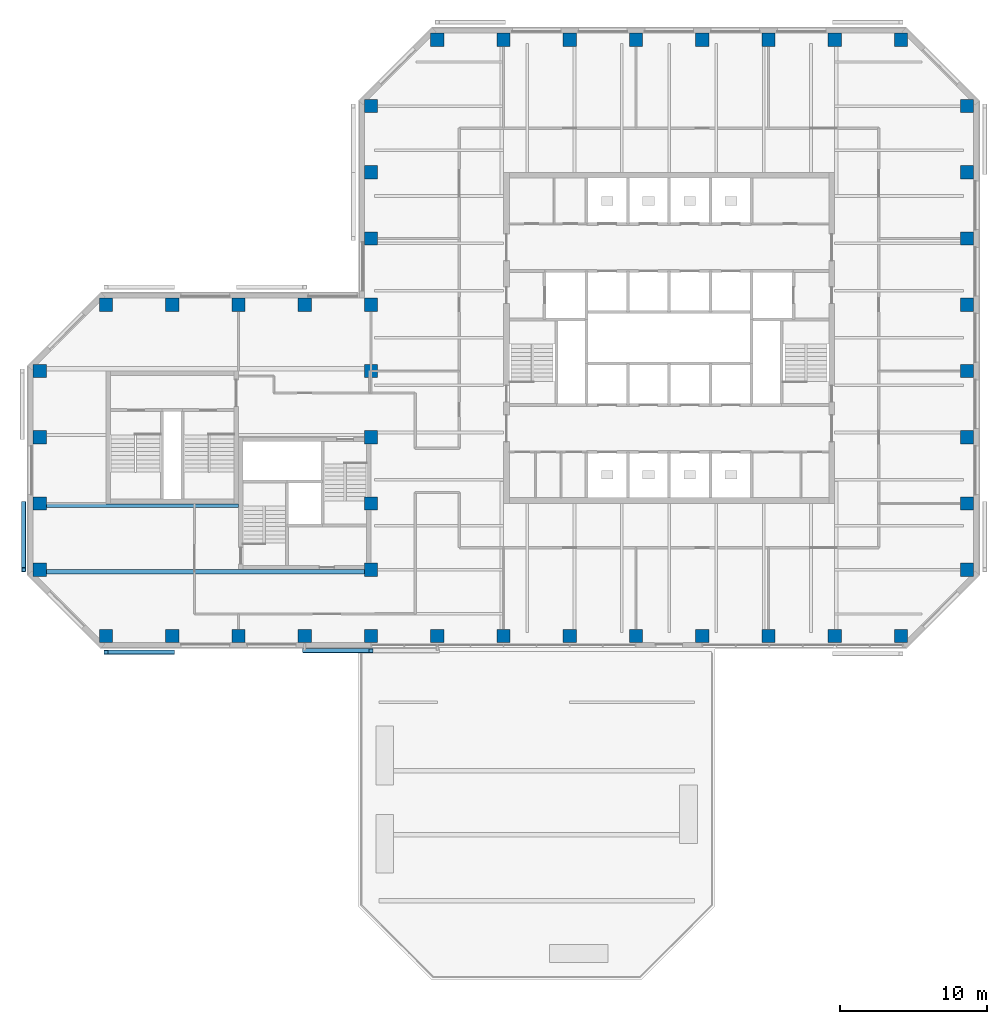
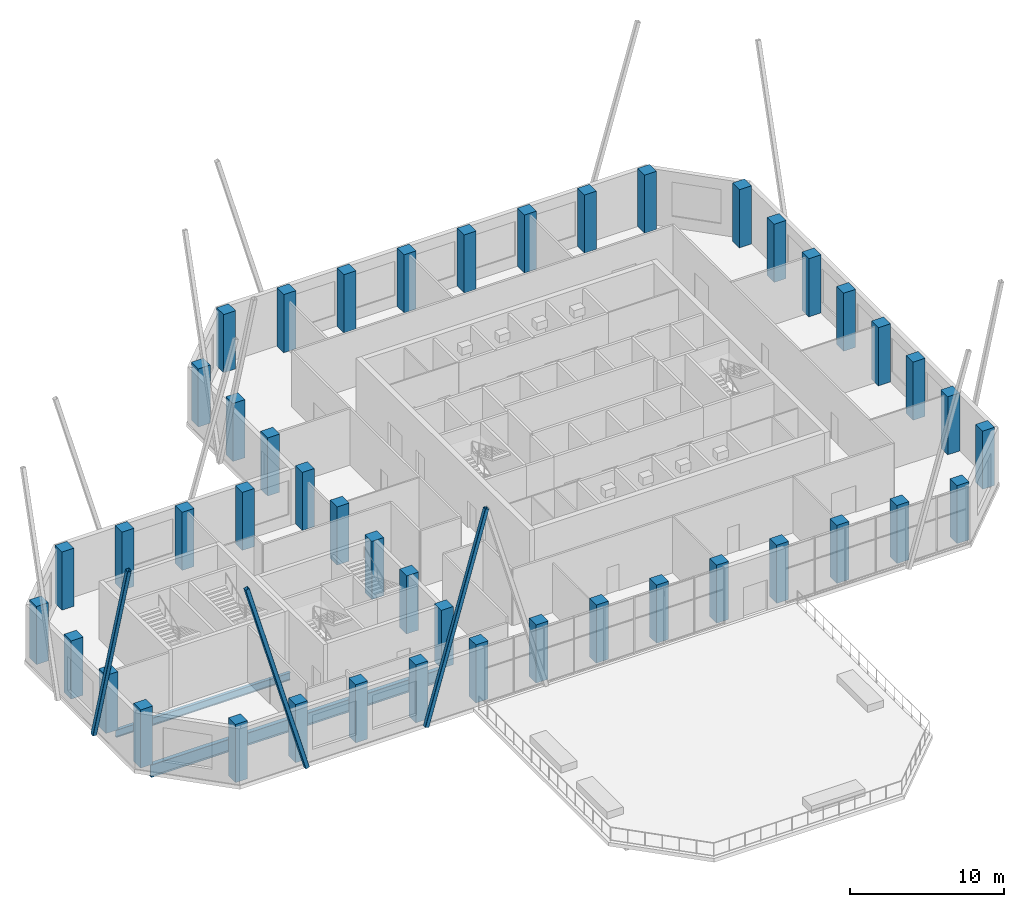
# One storey, part 1 of 14: 45 columns, 3 members, 2 beams.
"""IFC4 building model written with IfcOpenShell, lengths in metres."""

import ifcopenshell
import ifcopenshell.guid

model = None  # the IFC model being written
_history = None  # IfcOwnerHistory: only IFC2X3 demands one
_inside = {}  # id of a spatial element -> (the spatial element, [elements in it])
_under = {}  # id of a project, library or spatial element -> (it, [spatial elements below it])
_declared = {}  # id of a project -> (the project, [libraries it declares])
_typed = {}  # id of a type object -> (the type object, [elements of that type])
_made_of = {}  # id of a material, layer set ... -> (it, [elements and type objects made of it])


def new_model(schema):
    """Start an empty IFC model of exactly this schema.

    Asked for "IFC4X3", IfcOpenShell would pick the latest addendum, in which some entities
    have other attributes; the version numbers below select the first issue.
    IFC2X3 requires an IfcOwnerHistory on every rooted entity: one is made here for all.
    """
    global model, _history
    if schema == "IFC4X3":
        model = ifcopenshell.file(schema_version=(4, 3, 0, 0))
    else:
        model = ifcopenshell.file(schema=schema)
    _inside.clear()
    _under.clear()
    _declared.clear()
    _typed.clear()
    _made_of.clear()
    _history = None
    if model.schema == "IFC2X3":
        org = make("IfcOrganization", Name="unknown")
        user = make(
            "IfcPersonAndOrganization",
            ThePerson=make("IfcPerson", FamilyName="unknown"),
            TheOrganization=org,
        )
        app = make(
            "IfcApplication",
            ApplicationDeveloper=org,
            Version="unknown",
            ApplicationFullName="unknown",
            ApplicationIdentifier="unknown",
        )
        _history = make(
            "IfcOwnerHistory",
            OwningUser=user,
            OwningApplication=app,
            ChangeAction="ADDED",
            CreationDate=0,
        )
    return model


def make(cls, **values):
    """One entity of the class cls with the attributes given. An attribute that is None is left unset."""
    return model.create_entity(
        cls, **{name: value for name, value in values.items() if value is not None}
    )


def rooted(cls, **values):
    """An entity with a GlobalId (a new one), such as an element, a storey or a relation."""
    return make(cls, GlobalId=ifcopenshell.guid.new(), OwnerHistory=_history, **values)


def si_unit(unit_type, name, prefix=None):
    """IfcSIUnit, for example si_unit("LENGTHUNIT", "METRE", prefix="MILLI")."""
    return make("IfcSIUnit", UnitType=unit_type, Prefix=prefix, Name=name)


def assignment(units):
    """IfcUnitAssignment: the units of a project."""
    return None if units is None else make("IfcUnitAssignment", Units=units)


def point(xyz):
    """IfcCartesianPoint."""
    return None if xyz is None else make("IfcCartesianPoint", Coordinates=xyz)


def direction(xyz):
    """IfcDirection."""
    return None if xyz is None else make("IfcDirection", DirectionRatios=xyz)


def frame(location, z_axis=None, x_axis=None):
    """IfcAxis2Placement3D, a coordinate frame: its origin and axes. An axis left out is left unset."""
    return make(
        "IfcAxis2Placement3D",
        Location=point(location),
        Axis=direction(z_axis),
        RefDirection=direction(x_axis),
    )


def frame_2d(location, x_axis=None):
    """IfcAxis2Placement2D, a coordinate frame in the plane: its origin and x axis."""
    return make(
        "IfcAxis2Placement2D", Location=point(location), RefDirection=direction(x_axis)
    )


def origin():
    """The frame at (0, 0, 0) with its axes left unset."""
    return frame((0.0, 0.0, 0.0))


def origin_2d():
    """The frame at (0, 0) in the plane with its x axis left unset."""
    return frame_2d((0.0, 0.0))


def place(relative_to, where):
    """IfcLocalPlacement: puts the frame where relative to a parent placement (None: the world)."""
    return make(
        "IfcLocalPlacement", PlacementRelTo=relative_to, RelativePlacement=where
    )


def context(
    kind, dimensions, precision=None, world=None, true_north=None, identifier=None
):
    """IfcGeometricRepresentationContext, for example the 3D "Model" context."""
    return make(
        "IfcGeometricRepresentationContext",
        ContextIdentifier=identifier,
        ContextType=kind,
        CoordinateSpaceDimension=dimensions,
        Precision=precision,
        WorldCoordinateSystem=world,
        TrueNorth=true_north,
    )


def subcontext(parent, identifier, kind, view, scale=None):
    """IfcGeometricRepresentationSubContext, for example "Body" below "Model"."""
    return make(
        "IfcGeometricRepresentationSubContext",
        ContextIdentifier=identifier,
        ContextType=kind,
        ParentContext=parent,
        TargetScale=scale,
        TargetView=view,
    )


def project(units=None, contexts=None):
    """IfcProject with its units and contexts."""
    return rooted(
        "IfcProject",
        Name="project",
        RepresentationContexts=contexts,
        UnitsInContext=assignment(units),
    )


def spatial(cls, under=None, at=None, **own):
    """A site, building, storey or space (cls), placed at a placement, below another one or the project."""
    s = rooted(cls, ObjectPlacement=at, **own)
    if under is not None:
        _under.setdefault(under.id(), (under, []))[1].append(s)
    return s


def profile(cls, at=None, kind="AREA", **sizes):
    """A parametric profile (cls). Its sizes go by their IFC names, for example OverallWidth=200.0."""
    return make(cls, ProfileType=kind, Position=at, **sizes)


def rectangle(**sizes):
    """IfcRectangleProfileDef."""
    return profile("IfcRectangleProfileDef", **sizes)


def hollow_rectangle(**sizes):
    """IfcRectangleHollowProfileDef."""
    return profile("IfcRectangleHollowProfileDef", **sizes)


def i_section(**sizes):
    """IfcIShapeProfileDef."""
    return profile("IfcIShapeProfileDef", **sizes)


def extrude(swept, where, along, depth):
    """IfcExtrudedAreaSolid: the profile swept, set in the frame where, extruded along a direction by depth."""
    return make(
        "IfcExtrudedAreaSolid",
        SweptArea=swept,
        Position=where,
        ExtrudedDirection=direction(along),
        Depth=depth,
    )


def shape(context_of_items, identifier, shape_type, items):
    """IfcShapeRepresentation: the items that make up one representation, for example the "Body"."""
    return make(
        "IfcShapeRepresentation",
        ContextOfItems=context_of_items,
        RepresentationIdentifier=identifier,
        RepresentationType=shape_type,
        Items=items,
    )


def material(Name=None, Category=None):
    """IfcMaterial."""
    return make("IfcMaterial", Name=Name, Category=Category)


def material_profile(
    of_material, cross_section, Name=None, Category=None, Priority=None
):
    """IfcMaterialProfile: a cross section and its material."""
    return make(
        "IfcMaterialProfile",
        Name=Name,
        Material=of_material,
        Profile=cross_section,
        Priority=Priority,
        Category=Category,
    )


def profile_set(profiles, Name=None, composite=None):
    """IfcMaterialProfileSet."""
    return make(
        "IfcMaterialProfileSet",
        Name=Name,
        MaterialProfiles=profiles,
        CompositeProfile=composite,
    )


def made_of(thing, what):
    """Note that an element or type object is made of a material, layer set ...; save() writes the relation."""
    if what is not None:
        _made_of.setdefault(what.id(), (what, []))[1].append(thing)
    return thing


def type_object(cls, material=None, **own):
    """A type object (cls), such as IfcWallType, which elements share."""
    return made_of(rooted(cls, **own), material)


def element(
    cls,
    number,
    at=None,
    inside=None,
    cuts=None,
    type_object=None,
    material=None,
    context=None,
    identifier="Body",
    shape_type=None,
    held_by="IfcProductDefinitionShape",
    body=None,
    shapes=None,
    **own,
):
    """One element of the class cls, such as IfcWall. Its Tag is "e" and its number.

    at: its placement. inside: the storey or other place that contains it. cuts: it is an
    opening in that element (IfcRelVoidsElement). A single representation is given by context,
    identifier, shape_type and body (its items); several are given by shapes. held_by: the class
    of the entity that holds the representations. save() writes the other relations.
    """
    e = rooted(cls, Tag="e%d" % number, ObjectPlacement=at, **own)
    if body is not None:
        shapes = [shape(context, identifier, shape_type, body)]
    if shapes is not None:
        e.Representation = make(held_by, Representations=shapes)
    if inside is not None:
        _inside.setdefault(inside.id(), (inside, []))[1].append(e)
    if cuts is not None:
        rooted(
            "IfcRelVoidsElement", RelatingBuildingElement=cuts, RelatedOpeningElement=e
        )
    if type_object is not None:
        _typed.setdefault(type_object.id(), (type_object, []))[1].append(e)
    return made_of(e, material)


def aggregate(whole, parts):
    """IfcRelAggregates: a whole, such as a stair, and the parts it consists of."""
    return rooted("IfcRelAggregates", RelatingObject=whole, RelatedObjects=parts)


def save(model, path):
    """Write the relations noted so far, then the file.

    IfcRelAggregates (storeys below a building ...), IfcRelContainedInSpatialStructure (elements
    in a storey), IfcRelDefinesByType, IfcRelAssociatesMaterial and IfcRelDeclares: one each for
    every whole, place, type object, material and project.
    """
    for whole, parts in _under.values():
        aggregate(whole, parts)
    for where, things in _inside.values():
        rooted(
            "IfcRelContainedInSpatialStructure",
            RelatedElements=things,
            RelatingStructure=where,
        )
    for kind, things in _typed.values():
        rooted("IfcRelDefinesByType", RelatedObjects=things, RelatingType=kind)
    for what, things in _made_of.values():
        rooted("IfcRelAssociatesMaterial", RelatedObjects=things, RelatingMaterial=what)
    for by, libraries in _declared.values():
        rooted("IfcRelDeclares", RelatingContext=by, RelatedDefinitions=libraries)
    model.write(path)


model = new_model("IFC4")

# Units and contexts
model_context = context("Model", 3, precision=1e-05, world=origin(), true_north=direction((0.0, 1.0)))
body_context = subcontext(model_context, "Body", "Model", "MODEL_VIEW")
ifc_project = project(units=[si_unit("LENGTHUNIT", "METRE"), si_unit("AREAUNIT", "SQUARE_METRE"), si_unit("VOLUMEUNIT", "CUBIC_METRE"), si_unit("PLANEANGLEUNIT", "RADIAN"), si_unit("MASSUNIT", "GRAM", prefix="KILO")], contexts=[model_context])

# Site, building, storey
site_placement = place(None, origin())
site = spatial("IfcSite", under=ifc_project, at=site_placement, CompositionType="ELEMENT")
building_placement = place(site_placement, origin())
building = spatial("IfcBuilding", under=site, at=building_placement, Name="Quoin Convention Tower", CompositionType="ELEMENT")
storey_placement = place(building_placement, frame((0.0, 0.0, 143.10009765625)))
storey = spatial("IfcBuildingStorey", under=building, at=storey_placement, Name="L37", CompositionType="ELEMENT", Elevation=143.10009765625)

# Columns
ifc_material_1 = material(Name="Concrete C50", Category="concrete")
ifc_material_profile_1 = material_profile(ifc_material_1, rectangle(XDim=0.89990234375, YDim=0.89990234375, at=origin_2d()), Name="RC 900x900")
ifc_profile_set_1 = profile_set([ifc_material_profile_1], Name="Concrete C50")
column_type = type_object("IfcColumnType", Name="RC 900x900 C50", PredefinedType="COLUMN", material=ifc_profile_set_1)
for number, where, z_axis, x_axis, name in (
    (1, (18.0, 40.5, 0.0), (0.0, 0.0, 1.0), (1.0, 0.0, 0.0), "col-L37-18000_40500"),
    (2, (22.5, 40.5, 0.0), (0.0, 0.0, 1.0), (1.0, 0.0, 0.0), "col-L37-22500_40500"),
    (3, (27.0, 40.5, 0.0), (0.0, 0.0, 1.0), (1.0, 0.0, 0.0), "col-L37-27000_40500"),
    (4, (31.5, 40.5, 0.0), (0.0, 0.0, 1.0), (1.0, 0.0, 0.0), "col-L37-31500_40500"),
    (5, (36.0, 40.5, 0.0), (0.0, 0.0, 1.0), (1.0, 0.0, 0.0), "col-L37-36000_40500"),
    (6, (40.5, 40.5, 0.0), (0.0, 0.0, 1.0), (1.0, 0.0, 0.0), "col-L37-40500_40500"),
    (7, (45.0, 40.5, 0.0), (0.0, 0.0, 1.0), (1.0, 0.0, 0.0), "col-L37-45000_40500"),
    (8, (49.5, 40.5, 0.0), (0.0, 0.0, 1.0), (1.0, 0.0, 0.0), "col-L37-49500_40500"),
    (9, (54.0, 40.5, 0.0), (0.0, 0.0, 1.0), (1.0, 0.0, 0.0), "col-L37-54000_40500"),
    (10, (58.5, 40.5, 0.0), (0.0, 0.0, 1.0), (1.0, 0.0, 0.0), "col-L37-58500_40500"),
    (11, (63.0, 40.5, 0.0), (0.0, 0.0, 1.0), (1.0, 0.0, 0.0), "col-L37-63000_40500"),
    (12, (67.5, 40.5, 0.0), (0.0, 0.0, 1.0), (1.0, 0.0, 0.0), "col-L37-67500_40500"),
    (13, (72.0, 40.5, 0.0), (0.0, 0.0, 1.0), (1.0, 0.0, 0.0), "col-L37-72000_40500"),
    (14, (13.5, 45.0, 0.0), (0.0, 0.0, 1.0), (1.0, 0.0, 0.0), "col-L37-13500_45000"),
    (15, (36.0, 45.0, 0.0), (0.0, 0.0, 1.0), (1.0, 0.0, 0.0), "web-L37-36000_45000"),
    (16, (76.5, 45.0, 0.0), (0.0, 0.0, 1.0), (1.0, 0.0, 0.0), "col-L37-76500_45000"),
    (17, (13.5, 49.5, 0.0), (0.0, 0.0, 1.0), (1.0, 0.0, 0.0), "col-L37-13500_49500"),
    (18, (36.0, 49.5, 0.0), (0.0, 0.0, 1.0), (1.0, 0.0, 0.0), "web-L37-36000_49500"),
    (19, (76.5, 49.5, 0.0), (0.0, 0.0, 1.0), (1.0, 0.0, 0.0), "col-L37-76500_49500"),
    (20, (13.5, 54.0, 0.0), (0.0, 0.0, 1.0), (1.0, 0.0, 0.0), "col-L37-13500_54000"),
    (21, (36.0, 54.0, 0.0), (0.0, 0.0, 1.0), (1.0, 0.0, 0.0), "web-L37-36000_54000"),
    (22, (76.5, 54.0, 0.0), (0.0, 0.0, 1.0), (1.0, 0.0, 0.0), "col-L37-76500_54000"),
    (23, (13.5, 58.5, 0.0), (0.0, 0.0, 1.0), (1.0, 0.0, 0.0), "col-L37-13500_58500"),
    (24, (36.0, 58.5, 0.0), (0.0, 0.0, 1.0), (1.0, 0.0, 0.0), "web-L37-36000_58500"),
    (25, (76.5, 58.5, 0.0), (0.0, 0.0, 1.0), (1.0, 0.0, 0.0), "col-L37-76500_58500"),
    (26, (18.0, 63.0, 0.0), (0.0, 0.0, 1.0), (1.0, 0.0, 0.0), "col-L37-18000_63000"),
    (27, (22.5, 63.0, 0.0), (0.0, 0.0, 1.0), (1.0, 0.0, 0.0), "col-L37-22500_63000"),
    (28, (27.0, 63.0, 0.0), (0.0, 0.0, 1.0), (1.0, 0.0, 0.0), "col-L37-27000_63000"),
    (29, (31.5, 63.0, 0.0), (0.0, 0.0, 1.0), (1.0, 0.0, 0.0), "col-L37-31500_63000"),
    (30, (36.0, 63.0, 0.0), (0.0, 0.0, 1.0), (1.0, 0.0, 0.0), "col-L37-36000_63000"),
    (31, (76.5, 63.0, 0.0), (0.0, 0.0, 1.0), (1.0, 0.0, 0.0), "col-L37-76500_63000"),
    (32, (36.0, 67.5, 0.0), (0.0, 0.0, 1.0), (1.0, 0.0, 0.0), "col-L37-36000_67500"),
    (33, (76.5, 67.5, 0.0), (0.0, 0.0, 1.0), (1.0, 0.0, 0.0), "col-L37-76500_67500"),
    (34, (36.0, 72.0, 0.0), (0.0, 0.0, 1.0), (1.0, 0.0, 0.0), "col-L37-36000_72000"),
    (35, (76.5, 72.0, 0.0), (0.0, 0.0, 1.0), (1.0, 0.0, 0.0), "col-L37-76500_72000"),
    (36, (36.0, 76.5, 0.0), (0.0, 0.0, 1.0), (1.0, 0.0, 0.0), "col-L37-36000_76500"),
    (37, (76.5, 76.5, 0.0), (0.0, 0.0, 1.0), (1.0, 0.0, 0.0), "col-L37-76500_76500"),
    (38, (40.5, 81.0, 0.0), (0.0, 0.0, 1.0), (1.0, 0.0, 0.0), "col-L37-40500_81000"),
    (39, (45.0, 81.0, 0.0), (0.0, 0.0, 1.0), (1.0, 0.0, 0.0), "col-L37-45000_81000"),
    (40, (49.5, 81.0, 0.0), (0.0, 0.0, 1.0), (1.0, 0.0, 0.0), "col-L37-49500_81000"),
    (41, (54.0, 81.0, 0.0), (0.0, 0.0, 1.0), (1.0, 0.0, 0.0), "col-L37-54000_81000"),
    (42, (58.5, 81.0, 0.0), (0.0, 0.0, 1.0), (1.0, 0.0, 0.0), "col-L37-58500_81000"),
    (43, (63.0, 81.0, 0.0), (0.0, 0.0, 1.0), (1.0, 0.0, 0.0), "col-L37-63000_81000"),
    (44, (67.5, 81.0, 0.0), (0.0, 0.0, 1.0), (1.0, 0.0, 0.0), "col-L37-67500_81000"),
    (45, (72.0, 81.0, 0.0), (0.0, 0.0, 1.0), (1.0, 0.0, 0.0), "col-L37-72000_81000"),
):
    element("IfcColumn", number, at=place(storey_placement, frame(where, z_axis=z_axis, x_axis=x_axis)), inside=storey, type_object=column_type, Name=name, PredefinedType="COLUMN", context=body_context, shape_type="SweptSolid", body=[
        extrude(rectangle(XDim=0.89990234375, YDim=0.89990234375, at=origin_2d()), origin(), (0.0, 0.0, 1.0), 4.599853515625),
    ])

# Beams
ifc_material_2 = material(Name="Steel Grade 300", Category="steel")
ifc_material_profile_2 = material_profile(ifc_material_2, i_section(OverallWidth=0.300048828125, OverallDepth=1.0, WebThickness=0.01611328125, FlangeThickness=0.02001953125, at=origin_2d()), Name="1000WB215")
ifc_profile_set_2 = profile_set([ifc_material_profile_2], Name="Steel Grade 300")
beam_type_1 = type_object("IfcBeamType", Name="1000WB215", PredefinedType="BEAM", material=ifc_profile_set_2)
beam_1_placement = place(storey_placement, frame((13.949951171875, 44.85009765625, -0.650146484375), z_axis=(1.0, 0.0, 0.0), x_axis=(0.0, 1.0, 0.0)))
element("IfcBeam", 46, at=beam_1_placement, inside=storey, type_object=beam_type_1, Name="gir-L37-ST2-1-0", PredefinedType="BEAM", context=body_context, shape_type="SweptSolid", body=[
    extrude(i_section(OverallWidth=0.300048828125, OverallDepth=1.0, WebThickness=0.01611328125, FlangeThickness=0.02001953125, at=origin_2d()), origin(), (0.0, 0.0, 1.0), 21.60009765625),
])
ifc_material_profile_3 = material_profile(ifc_material_2, i_section(OverallWidth=0.22802734375, OverallDepth=0.60205078125, WebThickness=0.010498046875, FlangeThickness=0.014892578125, FilletRadius=0.013916015625, at=origin_2d()), Name="610UB101")
ifc_profile_set_3 = profile_set([ifc_material_profile_3], Name="Steel Grade 300")
beam_type_2 = type_object("IfcBeamType", Name="610UB101", PredefinedType="BEAM", material=ifc_profile_set_3)
beam_2_placement = place(storey_placement, frame((13.949951171875, 49.35009765625, -0.451171875), z_axis=(1.0, 0.0, 0.0), x_axis=(0.0, 1.0, 0.0)))
element("IfcBeam", 47, at=beam_2_placement, inside=storey, type_object=beam_type_2, Name="gir-L37-ST2-2-0", PredefinedType="BEAM", context=body_context, shape_type="SweptSolid", body=[
    extrude(i_section(OverallWidth=0.22802734375, OverallDepth=0.60205078125, WebThickness=0.010498046875, FlangeThickness=0.014892578125, FilletRadius=0.013916015625, at=origin_2d()), origin(), (0.0, 0.0, 1.0), 13.050048828125),
])

# Members
ifc_material_3 = material(Name="Steel C450L0", Category="steel")
ifc_material_profile_4 = material_profile(ifc_material_3, hollow_rectangle(XDim=0.300048828125, YDim=0.300048828125, WallThickness=0.012451171875, InnerFilletRadius=0.018798828125, OuterFilletRadius=0.03125, at=origin_2d()), Name="300x300x12.5SHS")
ifc_profile_set_4 = profile_set([ifc_material_profile_4], Name="Steel C450L0")
member_type = type_object("IfcMemberType", Name="Exposed brace 300x300x12.5SHS", PredefinedType="BRACE", material=ifc_profile_set_4)
for number, where, z_axis, x_axis, name in (
    (48, (12.39990234375, 49.5, -0.0751953125), (0.0, -0.275526545915, 0.961293463255), (1.0, 0.0, 0.0), "brc-L37-13500_49500-13500_45000"),
    (49, (22.5, 39.39990234375, -0.0751953125), (-0.275526545915, 0.0, 0.961293463255), (0.0, -1.0, 0.0), "brc-L37-18000_40500-22500_40500"),
    (50, (31.5, 39.5, -0.0751953125), (0.275526545915, 0.0, 0.961293463255), (0.0, 1.0, 0.0), "brc-L37-31500_40500-36000_40500"),
):
    element("IfcMember", number, at=place(storey_placement, frame(where, z_axis=z_axis, x_axis=x_axis)), inside=storey, type_object=member_type, Name=name, PredefinedType="BRACE", context=body_context, shape_type="SweptSolid", body=[
        extrude(hollow_rectangle(XDim=0.300048828125, YDim=0.300048828125, WallThickness=0.012451171875, InnerFilletRadius=0.018798828125, OuterFilletRadius=0.03125, at=origin_2d()), origin(), (0.0, 0.0, 1.0), 16.332275390625),
    ])

save(model, "model.ifc")
